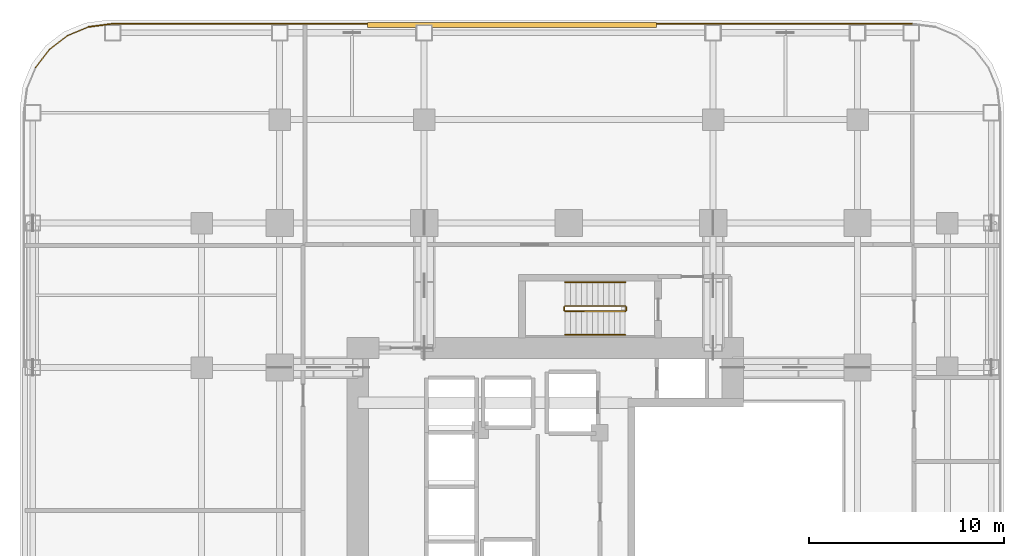
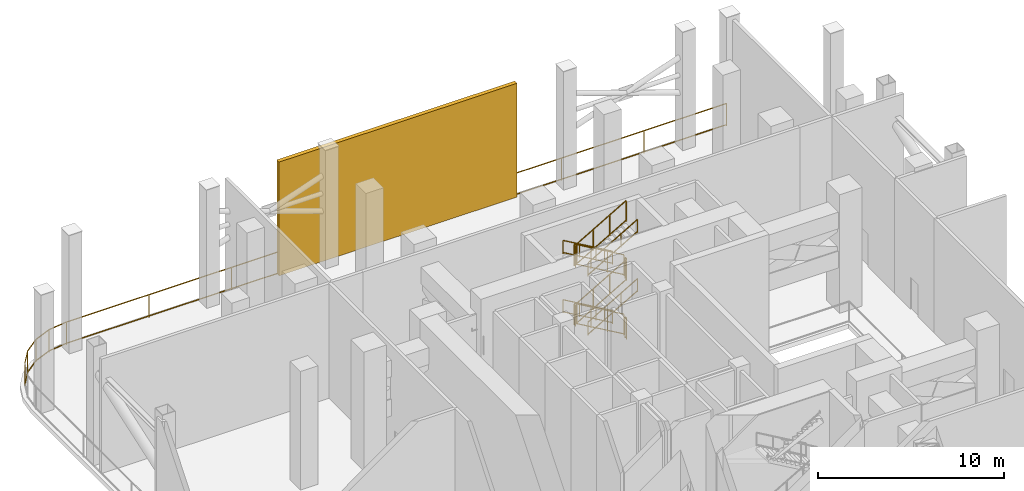
# One storey, part 10 of 11: 17 railings, 1 shading device.
"""IFC4 building model written with IfcOpenShell, lengths in metres."""

import ifcopenshell
import ifcopenshell.guid

model = None  # the IFC model being written
_history = None  # IfcOwnerHistory: only IFC2X3 demands one
_inside = {}  # id of a spatial element -> (the spatial element, [elements in it])
_under = {}  # id of a project, library or spatial element -> (it, [spatial elements below it])
_declared = {}  # id of a project -> (the project, [libraries it declares])
_typed = {}  # id of a type object -> (the type object, [elements of that type])
_made_of = {}  # id of a material, layer set ... -> (it, [elements and type objects made of it])


def new_model(schema):
    """Start an empty IFC model of exactly this schema.

    Asked for "IFC4X3", IfcOpenShell would pick the latest addendum, in which some entities
    have other attributes; the version numbers below select the first issue.
    IFC2X3 requires an IfcOwnerHistory on every rooted entity: one is made here for all.
    """
    global model, _history
    if schema == "IFC4X3":
        model = ifcopenshell.file(schema_version=(4, 3, 0, 0))
    else:
        model = ifcopenshell.file(schema=schema)
    _inside.clear()
    _under.clear()
    _declared.clear()
    _typed.clear()
    _made_of.clear()
    _history = None
    if model.schema == "IFC2X3":
        org = make("IfcOrganization", Name="unknown")
        user = make(
            "IfcPersonAndOrganization",
            ThePerson=make("IfcPerson", FamilyName="unknown"),
            TheOrganization=org,
        )
        app = make(
            "IfcApplication",
            ApplicationDeveloper=org,
            Version="unknown",
            ApplicationFullName="unknown",
            ApplicationIdentifier="unknown",
        )
        _history = make(
            "IfcOwnerHistory",
            OwningUser=user,
            OwningApplication=app,
            ChangeAction="ADDED",
            CreationDate=0,
        )
    return model


def make(cls, **values):
    """One entity of the class cls with the attributes given. An attribute that is None is left unset."""
    return model.create_entity(
        cls, **{name: value for name, value in values.items() if value is not None}
    )


def rooted(cls, **values):
    """An entity with a GlobalId (a new one), such as an element, a storey or a relation."""
    return make(cls, GlobalId=ifcopenshell.guid.new(), OwnerHistory=_history, **values)


def si_unit(unit_type, name, prefix=None):
    """IfcSIUnit, for example si_unit("LENGTHUNIT", "METRE", prefix="MILLI")."""
    return make("IfcSIUnit", UnitType=unit_type, Prefix=prefix, Name=name)


def assignment(units):
    """IfcUnitAssignment: the units of a project."""
    return None if units is None else make("IfcUnitAssignment", Units=units)


def point(xyz):
    """IfcCartesianPoint."""
    return None if xyz is None else make("IfcCartesianPoint", Coordinates=xyz)


def direction(xyz):
    """IfcDirection."""
    return None if xyz is None else make("IfcDirection", DirectionRatios=xyz)


def frame(location, z_axis=None, x_axis=None):
    """IfcAxis2Placement3D, a coordinate frame: its origin and axes. An axis left out is left unset."""
    return make(
        "IfcAxis2Placement3D",
        Location=point(location),
        Axis=direction(z_axis),
        RefDirection=direction(x_axis),
    )


def frame_2d(location, x_axis=None):
    """IfcAxis2Placement2D, a coordinate frame in the plane: its origin and x axis."""
    return make(
        "IfcAxis2Placement2D", Location=point(location), RefDirection=direction(x_axis)
    )


def origin():
    """The frame at (0, 0, 0) with its axes left unset."""
    return frame((0.0, 0.0, 0.0))


def origin_2d():
    """The frame at (0, 0) in the plane with its x axis left unset."""
    return frame_2d((0.0, 0.0))


def place(relative_to, where):
    """IfcLocalPlacement: puts the frame where relative to a parent placement (None: the world)."""
    return make(
        "IfcLocalPlacement", PlacementRelTo=relative_to, RelativePlacement=where
    )


def context(
    kind, dimensions, precision=None, world=None, true_north=None, identifier=None
):
    """IfcGeometricRepresentationContext, for example the 3D "Model" context."""
    return make(
        "IfcGeometricRepresentationContext",
        ContextIdentifier=identifier,
        ContextType=kind,
        CoordinateSpaceDimension=dimensions,
        Precision=precision,
        WorldCoordinateSystem=world,
        TrueNorth=true_north,
    )


def subcontext(parent, identifier, kind, view, scale=None):
    """IfcGeometricRepresentationSubContext, for example "Body" below "Model"."""
    return make(
        "IfcGeometricRepresentationSubContext",
        ContextIdentifier=identifier,
        ContextType=kind,
        ParentContext=parent,
        TargetScale=scale,
        TargetView=view,
    )


def project(units=None, contexts=None):
    """IfcProject with its units and contexts."""
    return rooted(
        "IfcProject",
        Name="project",
        RepresentationContexts=contexts,
        UnitsInContext=assignment(units),
    )


def spatial(cls, under=None, at=None, **own):
    """A site, building, storey or space (cls), placed at a placement, below another one or the project."""
    s = rooted(cls, ObjectPlacement=at, **own)
    if under is not None:
        _under.setdefault(under.id(), (under, []))[1].append(s)
    return s


def profile(cls, at=None, kind="AREA", **sizes):
    """A parametric profile (cls). Its sizes go by their IFC names, for example OverallWidth=200.0."""
    return make(cls, ProfileType=kind, Position=at, **sizes)


def rectangle(**sizes):
    """IfcRectangleProfileDef."""
    return profile("IfcRectangleProfileDef", **sizes)


def extrude(swept, where, along, depth):
    """IfcExtrudedAreaSolid: the profile swept, set in the frame where, extruded along a direction by depth."""
    return make(
        "IfcExtrudedAreaSolid",
        SweptArea=swept,
        Position=where,
        ExtrudedDirection=direction(along),
        Depth=depth,
    )


def shape(context_of_items, identifier, shape_type, items):
    """IfcShapeRepresentation: the items that make up one representation, for example the "Body"."""
    return make(
        "IfcShapeRepresentation",
        ContextOfItems=context_of_items,
        RepresentationIdentifier=identifier,
        RepresentationType=shape_type,
        Items=items,
    )


def material(Name=None, Category=None):
    """IfcMaterial."""
    return make("IfcMaterial", Name=Name, Category=Category)


def layer(
    of_material, thickness, ventilated=None, Name=None, Category=None, Priority=None
):
    """IfcMaterialLayer: one layer of a wall or slab, of a material (None: an air gap)."""
    return make(
        "IfcMaterialLayer",
        Material=of_material,
        LayerThickness=thickness,
        IsVentilated=ventilated,
        Name=Name,
        Category=Category,
        Priority=Priority,
    )


def layer_set(layers, Name=None):
    """IfcMaterialLayerSet."""
    return make("IfcMaterialLayerSet", MaterialLayers=layers, LayerSetName=Name)


def made_of(thing, what):
    """Note that an element or type object is made of a material, layer set ...; save() writes the relation."""
    if what is not None:
        _made_of.setdefault(what.id(), (what, []))[1].append(thing)
    return thing


def type_object(cls, material=None, **own):
    """A type object (cls), such as IfcWallType, which elements share."""
    return made_of(rooted(cls, **own), material)


def element(
    cls,
    number,
    at=None,
    inside=None,
    cuts=None,
    type_object=None,
    material=None,
    context=None,
    identifier="Body",
    shape_type=None,
    held_by="IfcProductDefinitionShape",
    body=None,
    shapes=None,
    **own,
):
    """One element of the class cls, such as IfcWall. Its Tag is "e" and its number.

    at: its placement. inside: the storey or other place that contains it. cuts: it is an
    opening in that element (IfcRelVoidsElement). A single representation is given by context,
    identifier, shape_type and body (its items); several are given by shapes. held_by: the class
    of the entity that holds the representations. save() writes the other relations.
    """
    e = rooted(cls, Tag="e%d" % number, ObjectPlacement=at, **own)
    if body is not None:
        shapes = [shape(context, identifier, shape_type, body)]
    if shapes is not None:
        e.Representation = make(held_by, Representations=shapes)
    if inside is not None:
        _inside.setdefault(inside.id(), (inside, []))[1].append(e)
    if cuts is not None:
        rooted(
            "IfcRelVoidsElement", RelatingBuildingElement=cuts, RelatedOpeningElement=e
        )
    if type_object is not None:
        _typed.setdefault(type_object.id(), (type_object, []))[1].append(e)
    return made_of(e, material)


def aggregate(whole, parts):
    """IfcRelAggregates: a whole, such as a stair, and the parts it consists of."""
    return rooted("IfcRelAggregates", RelatingObject=whole, RelatedObjects=parts)


def save(model, path):
    """Write the relations noted so far, then the file.

    IfcRelAggregates (storeys below a building ...), IfcRelContainedInSpatialStructure (elements
    in a storey), IfcRelDefinesByType, IfcRelAssociatesMaterial and IfcRelDeclares: one each for
    every whole, place, type object, material and project.
    """
    for whole, parts in _under.values():
        aggregate(whole, parts)
    for where, things in _inside.values():
        rooted(
            "IfcRelContainedInSpatialStructure",
            RelatedElements=things,
            RelatingStructure=where,
        )
    for kind, things in _typed.values():
        rooted("IfcRelDefinesByType", RelatedObjects=things, RelatingType=kind)
    for what, things in _made_of.values():
        rooted("IfcRelAssociatesMaterial", RelatedObjects=things, RelatingMaterial=what)
    for by, libraries in _declared.values():
        rooted("IfcRelDeclares", RelatingContext=by, RelatedDefinitions=libraries)
    model.write(path)


model = new_model("IFC4")

# Units and contexts
model_context = context("Model", 3, precision=1e-05, world=origin(), true_north=direction((0.0, 1.0)))
body_context = subcontext(model_context, "Body", "Model", "MODEL_VIEW")
ifc_project = project(units=[si_unit("LENGTHUNIT", "METRE"), si_unit("AREAUNIT", "SQUARE_METRE"), si_unit("VOLUMEUNIT", "CUBIC_METRE"), si_unit("PLANEANGLEUNIT", "RADIAN"), si_unit("MASSUNIT", "GRAM", prefix="KILO")], contexts=[model_context])

# Site, building, storey
site_placement = place(None, origin())
site = spatial("IfcSite", under=ifc_project, at=site_placement, CompositionType="ELEMENT")
building_placement = place(site_placement, origin())
building = spatial("IfcBuilding", under=site, at=building_placement, Name="Khorvyn Point Tower", CompositionType="ELEMENT")
storey_placement = place(building_placement, frame((0.0, 0.0, 77.39990234375)))
storey = spatial("IfcBuildingStorey", under=building, at=storey_placement, Name="L20", CompositionType="ELEMENT", Elevation=77.39990234375)

# Shading device
ifc_material_1 = material(Name="Pale anodised aluminium 6063-T6", Category="aluminium")
ifc_layer = layer(ifc_material_1, 0.25)
ifc_layer_set = layer_set([ifc_layer], Name="Acoustic Hurricane-Louvre Plant Screen")
shading_device_type = type_object("IfcShadingDeviceType", Name="Acoustic Hurricane-Louvre Plant Screen", PredefinedType="JALOUSIE", material=ifc_layer_set)
shading_device_placement = place(storey_placement, frame((-2.89990234375, 24.949951171875, 0.02001953125), z_axis=(0.0, 0.0, 1.0), x_axis=(1.0, 0.0, 0.0)))
element("IfcShadingDevice", 1, at=shading_device_placement, inside=storey, type_object=shading_device_type, Name="L20 Acoustic Hurricane Plant Louvre N", PredefinedType="JALOUSIE", context=body_context, shape_type="SweptSolid", body=[
    extrude(rectangle(XDim=14.800048828125, YDim=0.25, at=origin_2d()), origin(), (0.0, 0.0, 1.0), 7.47998046875),
])

# Railings
ifc_material_2 = material(Name="Stainless steel 1.4401", Category="steel")
railing_type_1 = type_object("IfcRailingType", Name="School Terrace Anti-Climb Safety Guardrail 1500", PredefinedType="GUARDRAIL", material=ifc_material_2)
railing_1_placement = place(storey_placement, frame((17.634521484375, 24.998291015625, 0.0)))
element("IfcRailing", 2, at=railing_1_placement, inside=storey, type_object=railing_type_1, Name="L20 Open Wind-Floor Perimeter Guardrail 14", PredefinedType="GUARDRAIL", context=body_context, shape_type="SweptSolid", body=[
    extrude(rectangle(XDim=0.048095703125, YDim=0.048095703125, at=origin_2d()), frame((0.0, 0.0, 1.47607421875), z_axis=(-1.0, 0.0, 0.0), x_axis=(0.0, -1.0, 0.0)), (0.0, 0.0, 1.0), 41.06884765625),
    extrude(rectangle(XDim=0.048095703125, YDim=0.048095703125, at=origin_2d()), frame((0.0, 0.0, 0.080078125), z_axis=(-1.0, 0.0, 0.0), x_axis=(0.0, -1.0, 0.0)), (0.0, 0.0, 1.0), 41.06884765625),
    extrude(rectangle(XDim=0.0419921875, YDim=0.0419921875, at=origin_2d()), origin(), (0.0, 0.0, 1.0), 1.451904296875),
    extrude(rectangle(XDim=0.0419921875, YDim=0.0419921875, at=origin_2d()), frame((-5.133544921875, 0.0, 0.0)), (0.0, 0.0, 1.0), 1.451904296875),
    extrude(rectangle(XDim=0.0419921875, YDim=0.0419921875, at=origin_2d()), frame((-10.26708984375, 0.0, 0.0)), (0.0, 0.0, 1.0), 1.451904296875),
    extrude(rectangle(XDim=0.0419921875, YDim=0.0419921875, at=origin_2d()), frame((-15.40087890625, 0.0, 0.0)), (0.0, 0.0, 1.0), 1.451904296875),
    extrude(rectangle(XDim=0.0419921875, YDim=0.0419921875, at=origin_2d()), frame((-20.534423828125, 0.0, 0.0)), (0.0, 0.0, 1.0), 1.451904296875),
    extrude(rectangle(XDim=0.0419921875, YDim=0.0419921875, at=origin_2d()), frame((-25.66796875, 0.0, 0.0)), (0.0, 0.0, 1.0), 1.451904296875),
    extrude(rectangle(XDim=0.0419921875, YDim=0.0419921875, at=origin_2d()), frame((-30.8017578125, 0.0, 0.0)), (0.0, 0.0, 1.0), 1.451904296875),
    extrude(rectangle(XDim=0.0419921875, YDim=0.0419921875, at=origin_2d()), frame((-35.935302734375, 0.0, 0.0)), (0.0, 0.0, 1.0), 1.451904296875),
    extrude(rectangle(XDim=0.0419921875, YDim=0.0419921875, at=origin_2d()), frame((-41.06884765625, 0.0, 0.0)), (0.0, 0.0, 1.0), 1.451904296875),
])
railing_2_placement = place(storey_placement, frame((-23.434326171875, 24.998291015625, 0.0)))
element("IfcRailing", 3, at=railing_2_placement, inside=storey, type_object=railing_type_1, Name="L20 Open Wind-Floor Perimeter Guardrail 15", PredefinedType="GUARDRAIL", context=body_context, shape_type="SweptSolid", body=[
    extrude(rectangle(XDim=0.048095703125, YDim=0.048095703125, at=origin_2d()), frame((0.0, 0.0, 1.47607421875), z_axis=(-0.99144787746, -0.130503280722, 0.0), x_axis=(0.130503280722, -0.99144787746, 0.0)), (0.0, 0.0, 1.0), 1.16552734375),
    extrude(rectangle(XDim=0.048095703125, YDim=0.048095703125, at=origin_2d()), frame((0.0, 0.0, 0.080078125), z_axis=(-0.99144787746, -0.130503280722, 0.0), x_axis=(0.130503280722, -0.99144787746, 0.0)), (0.0, 0.0, 1.0), 1.16552734375),
    extrude(rectangle(XDim=0.0419921875, YDim=0.0419921875, at=origin_2d()), origin(), (0.0, 0.0, 1.0), 1.451904296875),
    extrude(rectangle(XDim=0.0419921875, YDim=0.0419921875, at=origin_2d()), frame((-1.155517578125, -0.152099609375, 0.0)), (0.0, 0.0, 1.0), 1.451904296875),
])
railing_3_placement = place(storey_placement, frame((-24.58984375, 24.84619140625, 0.0)))
element("IfcRailing", 4, at=railing_3_placement, inside=storey, type_object=railing_type_1, Name="L20 Open Wind-Floor Perimeter Guardrail 16", PredefinedType="GUARDRAIL", context=body_context, shape_type="SweptSolid", body=[
    extrude(rectangle(XDim=0.048095703125, YDim=0.048095703125, at=origin_2d()), frame((0.0, 0.0, 1.47607421875), z_axis=(-0.923930027667, -0.382561503519, 0.0), x_axis=(0.382561503519, -0.923930027667, 0.0)), (0.0, 0.0, 1.0), 1.165283203125),
    extrude(rectangle(XDim=0.048095703125, YDim=0.048095703125, at=origin_2d()), frame((0.0, 0.0, 0.080078125), z_axis=(-0.923930027667, -0.382561503519, 0.0), x_axis=(0.382561503519, -0.923930027667, 0.0)), (0.0, 0.0, 1.0), 1.165283203125),
    extrude(rectangle(XDim=0.0419921875, YDim=0.0419921875, at=origin_2d()), origin(), (0.0, 0.0, 1.0), 1.451904296875),
    extrude(rectangle(XDim=0.0419921875, YDim=0.0419921875, at=origin_2d()), frame((-1.07666015625, -0.44580078125, 0.0)), (0.0, 0.0, 1.0), 1.451904296875),
])
railing_4_placement = place(storey_placement, frame((-25.66650390625, 24.400390625, 0.0)))
element("IfcRailing", 5, at=railing_4_placement, inside=storey, type_object=railing_type_1, Name="L20 Open Wind-Floor Perimeter Guardrail 17", PredefinedType="GUARDRAIL", context=body_context, shape_type="SweptSolid", body=[
    extrude(rectangle(XDim=0.048095703125, YDim=0.048095703125, at=origin_2d()), frame((0.0, 0.0, 1.47607421875), z_axis=(-0.79326225544, -0.608880114714, 0.0), x_axis=(0.608880114714, -0.79326225544, 0.0)), (0.0, 0.0, 1.0), 1.165283203125),
    extrude(rectangle(XDim=0.048095703125, YDim=0.048095703125, at=origin_2d()), frame((0.0, 0.0, 0.080078125), z_axis=(-0.79326225544, -0.608880114714, 0.0), x_axis=(0.608880114714, -0.79326225544, 0.0)), (0.0, 0.0, 1.0), 1.165283203125),
    extrude(rectangle(XDim=0.0419921875, YDim=0.0419921875, at=origin_2d()), origin(), (0.0, 0.0, 1.0), 1.451904296875),
    extrude(rectangle(XDim=0.0419921875, YDim=0.0419921875, at=origin_2d()), frame((-0.92431640625, -0.70947265625, 0.0)), (0.0, 0.0, 1.0), 1.451904296875),
])
railing_5_placement = place(storey_placement, frame((-26.5908203125, 23.69091796875, 0.0)))
element("IfcRailing", 6, at=railing_5_placement, inside=storey, type_object=railing_type_1, Name="L20 Open Wind-Floor Perimeter Guardrail 18", PredefinedType="GUARDRAIL", context=body_context, shape_type="SweptSolid", body=[
    extrude(rectangle(XDim=0.048095703125, YDim=0.048095703125, at=origin_2d()), frame((0.0, 0.0, 1.47607421875), z_axis=(-0.608778925589, -0.793339914386, 0.0), x_axis=(0.793339914386, -0.608778925589, 0.0)), (0.0, 0.0, 1.0), 1.165283203125),
    extrude(rectangle(XDim=0.048095703125, YDim=0.048095703125, at=origin_2d()), frame((0.0, 0.0, 0.080078125), z_axis=(-0.608778925589, -0.793339914386, 0.0), x_axis=(0.793339914386, -0.608778925589, 0.0)), (0.0, 0.0, 1.0), 1.165283203125),
    extrude(rectangle(XDim=0.0419921875, YDim=0.0419921875, at=origin_2d()), origin(), (0.0, 0.0, 1.0), 1.451904296875),
    extrude(rectangle(XDim=0.0419921875, YDim=0.0419921875, at=origin_2d()), frame((-0.70947265625, -0.924560546875, 0.0)), (0.0, 0.0, 1.0), 1.451904296875),
])
ifc_material_3 = material(Name="Stainless steel 1.4301", Category="steel")
railing_type_2 = type_object("IfcRailingType", Name="Stainless Steel 304 Stair Pitch Handrail 900", PredefinedType="HANDRAIL", material=ifc_material_3)
railing_6_placement = place(storey_placement, frame((2.89990234375, 11.77001953125, 0.16259765625)))
element("IfcRailing", 7, at=railing_6_placement, inside=storey, type_object=railing_type_2, Name="L20 ST-02 stair handrail 1", PredefinedType="HANDRAIL", context=body_context, shape_type="SweptSolid", body=[
    extrude(rectangle(XDim=0.048095703125, YDim=0.048095703125, at=origin_2d()), frame((0.0, 0.0, 0.8759765625), z_axis=(-0.864873446163, 0.0, 0.501989962173), x_axis=(0.0, -1.0, 0.0)), (0.0, 0.0, 1.0), 3.56103515625),
    extrude(rectangle(XDim=0.048095703125, YDim=0.048095703125, at=origin_2d()), frame((0.0, 0.0, 0.080078125), z_axis=(-0.864873446163, 0.0, 0.501989962173), x_axis=(0.0, -1.0, 0.0)), (0.0, 0.0, 1.0), 3.56103515625),
    extrude(rectangle(XDim=0.0419921875, YDim=0.0419921875, at=origin_2d()), origin(), (0.0, 0.0, 1.0), 0.851806640625),
    extrude(rectangle(XDim=0.0419921875, YDim=0.0419921875, at=origin_2d()), frame((-1.026611328125, 0.0, 0.595947265625)), (0.0, 0.0, 1.0), 0.851806640625),
    extrude(rectangle(XDim=0.0419921875, YDim=0.0419921875, at=origin_2d()), frame((-2.05322265625, 0.0, 1.191650390625)), (0.0, 0.0, 1.0), 0.851806640625),
    extrude(rectangle(XDim=0.0419921875, YDim=0.0419921875, at=origin_2d()), frame((-3.079833984375, 0.0, 1.78759765625)), (0.0, 0.0, 1.0), 0.851806640625),
])
railing_7_placement = place(storey_placement, frame((-0.179931640625, 9.070068359375, 2.112548828125)))
element("IfcRailing", 8, at=railing_7_placement, inside=storey, type_object=railing_type_2, Name="L20 ST-02 stair handrail 2", PredefinedType="HANDRAIL", context=body_context, shape_type="SweptSolid", body=[
    extrude(rectangle(XDim=0.048095703125, YDim=0.048095703125, at=origin_2d()), frame((0.0, 0.0, 0.8759765625), z_axis=(0.864873446163, 0.0, 0.501989962173), x_axis=(0.0, 1.0, 0.0)), (0.0, 0.0, 1.0), 3.56103515625),
    extrude(rectangle(XDim=0.048095703125, YDim=0.048095703125, at=origin_2d()), frame((0.0, 0.0, 0.080078125), z_axis=(0.864873446163, 0.0, 0.501989962173), x_axis=(0.0, 1.0, 0.0)), (0.0, 0.0, 1.0), 3.56103515625),
    extrude(rectangle(XDim=0.0419921875, YDim=0.0419921875, at=origin_2d()), origin(), (0.0, 0.0, 1.0), 0.851806640625),
    extrude(rectangle(XDim=0.0419921875, YDim=0.0419921875, at=origin_2d()), frame((1.026611328125, 0.0, 0.595947265625)), (0.0, 0.0, 1.0), 0.851806640625),
    extrude(rectangle(XDim=0.0419921875, YDim=0.0419921875, at=origin_2d()), frame((2.05322265625, 0.0, 1.191650390625)), (0.0, 0.0, 1.0), 0.851806640625),
    extrude(rectangle(XDim=0.0419921875, YDim=0.0419921875, at=origin_2d()), frame((3.079833984375, 0.0, 1.78759765625)), (0.0, 0.0, 1.0), 0.851806640625),
])
railing_8_placement = place(storey_placement, frame((2.89990234375, 11.77001953125, 4.0625)))
element("IfcRailing", 9, at=railing_8_placement, inside=storey, type_object=railing_type_2, Name="L20 ST-02 stair handrail 3", PredefinedType="HANDRAIL", context=body_context, shape_type="SweptSolid", body=[
    extrude(rectangle(XDim=0.048095703125, YDim=0.048095703125, at=origin_2d()), frame((0.0, 0.0, 0.8759765625), z_axis=(-0.864873446163, 0.0, 0.501989962173), x_axis=(0.0, -1.0, 0.0)), (0.0, 0.0, 1.0), 3.56103515625),
    extrude(rectangle(XDim=0.048095703125, YDim=0.048095703125, at=origin_2d()), frame((0.0, 0.0, 0.080078125), z_axis=(-0.864873446163, 0.0, 0.501989962173), x_axis=(0.0, -1.0, 0.0)), (0.0, 0.0, 1.0), 3.56103515625),
    extrude(rectangle(XDim=0.0419921875, YDim=0.0419921875, at=origin_2d()), origin(), (0.0, 0.0, 1.0), 0.851806640625),
    extrude(rectangle(XDim=0.0419921875, YDim=0.0419921875, at=origin_2d()), frame((-1.026611328125, 0.0, 0.595947265625)), (0.0, 0.0, 1.0), 0.851806640625),
    extrude(rectangle(XDim=0.0419921875, YDim=0.0419921875, at=origin_2d()), frame((-2.05322265625, 0.0, 1.191650390625)), (0.0, 0.0, 1.0), 0.851806640625),
    extrude(rectangle(XDim=0.0419921875, YDim=0.0419921875, at=origin_2d()), frame((-3.079833984375, 0.0, 1.78759765625)), (0.0, 0.0, 1.0), 0.851806640625),
])
railing_9_placement = place(storey_placement, frame((-0.179931640625, 9.070068359375, 6.0126953125)))
element("IfcRailing", 10, at=railing_9_placement, inside=storey, type_object=railing_type_2, Name="L20 ST-02 stair handrail 4", PredefinedType="HANDRAIL", context=body_context, shape_type="SweptSolid", body=[
    extrude(rectangle(XDim=0.048095703125, YDim=0.048095703125, at=origin_2d()), frame((0.0, 0.0, 0.8759765625), z_axis=(0.864903211148, 0.0, 0.501938676878), x_axis=(0.0, 1.0, 0.0)), (0.0, 0.0, 1.0), 3.560791015625),
    extrude(rectangle(XDim=0.048095703125, YDim=0.048095703125, at=origin_2d()), frame((0.0, 0.0, 0.080078125), z_axis=(0.864903211148, 0.0, 0.501938676878), x_axis=(0.0, 1.0, 0.0)), (0.0, 0.0, 1.0), 3.560791015625),
    extrude(rectangle(XDim=0.0419921875, YDim=0.0419921875, at=origin_2d()), origin(), (0.0, 0.0, 1.0), 0.851806640625),
    extrude(rectangle(XDim=0.0419921875, YDim=0.0419921875, at=origin_2d()), frame((1.026611328125, 0.0, 0.595703125)), (0.0, 0.0, 1.0), 0.851806640625),
    extrude(rectangle(XDim=0.0419921875, YDim=0.0419921875, at=origin_2d()), frame((2.05322265625, 0.0, 1.191650390625)), (0.0, 0.0, 1.0), 0.851806640625),
    extrude(rectangle(XDim=0.0419921875, YDim=0.0419921875, at=origin_2d()), frame((3.079833984375, 0.0, 1.787353515625)), (0.0, 0.0, 1.0), 0.851806640625),
])
railing_type_3 = type_object("IfcRailingType", Name="Stainless Steel 304 Stair Well Guardrail 1400", PredefinedType="GUARDRAIL", material=ifc_material_3)
railing_10_placement = place(storey_placement, frame((2.89990234375, 10.550048828125, 0.16259765625)))
element("IfcRailing", 11, at=railing_10_placement, inside=storey, type_object=railing_type_3, Name="L20 ST-02 stair guard 1", PredefinedType="GUARDRAIL", context=body_context, shape_type="SweptSolid", body=[
    extrude(rectangle(XDim=0.048095703125, YDim=0.048095703125, at=origin_2d()), frame((0.0, 0.0, 1.3759765625), z_axis=(-0.864873446163, 0.0, 0.501989962173), x_axis=(0.0, -1.0, 0.0)), (0.0, 0.0, 1.0), 3.56103515625),
    extrude(rectangle(XDim=0.048095703125, YDim=0.048095703125, at=origin_2d()), frame((0.0, 0.0, 0.080078125), z_axis=(-0.864873446163, 0.0, 0.501989962173), x_axis=(0.0, -1.0, 0.0)), (0.0, 0.0, 1.0), 3.56103515625),
    extrude(rectangle(XDim=0.0419921875, YDim=0.0419921875, at=origin_2d()), origin(), (0.0, 0.0, 1.0), 1.351806640625),
    extrude(rectangle(XDim=0.0419921875, YDim=0.0419921875, at=origin_2d()), frame((-1.026611328125, 0.0, 0.595947265625)), (0.0, 0.0, 1.0), 1.351806640625),
    extrude(rectangle(XDim=0.0419921875, YDim=0.0419921875, at=origin_2d()), frame((-2.05322265625, 0.0, 1.191650390625)), (0.0, 0.0, 1.0), 1.351806640625),
    extrude(rectangle(XDim=0.0419921875, YDim=0.0419921875, at=origin_2d()), frame((-3.079833984375, 0.0, 1.78759765625)), (0.0, 0.0, 1.0), 1.351806640625),
])
railing_11_placement = place(storey_placement, frame((-0.22998046875, 10.5, 1.9501953125)))
element("IfcRailing", 12, at=railing_11_placement, inside=storey, type_object=railing_type_3, Name="L20 ST-02 stair guard 2", PredefinedType="GUARDRAIL", context=body_context, shape_type="SweptSolid", body=[
    extrude(rectangle(XDim=0.048095703125, YDim=0.048095703125, at=origin_2d()), frame((0.0, 0.0, 1.3759765625), z_axis=(0.0, -1.0, 0.0), x_axis=(1.0, 0.0, 0.0)), (0.0, 0.0, 1.0), 0.159912109375),
    extrude(rectangle(XDim=0.048095703125, YDim=0.048095703125, at=origin_2d()), frame((0.0, 0.0, 0.080078125), z_axis=(0.0, -1.0, 0.0), x_axis=(1.0, 0.0, 0.0)), (0.0, 0.0, 1.0), 0.159912109375),
    extrude(rectangle(XDim=0.0419921875, YDim=0.0419921875, at=origin_2d()), origin(), (0.0, 0.0, 1.0), 1.351806640625),
    extrude(rectangle(XDim=0.0419921875, YDim=0.0419921875, at=origin_2d()), frame((0.0, -0.159912109375, 0.0)), (0.0, 0.0, 1.0), 1.351806640625),
])
railing_12_placement = place(storey_placement, frame((-0.179931640625, 10.2900390625, 2.112548828125)))
element("IfcRailing", 13, at=railing_12_placement, inside=storey, type_object=railing_type_3, Name="L20 ST-02 stair guard 3", PredefinedType="GUARDRAIL", context=body_context, shape_type="SweptSolid", body=[
    extrude(rectangle(XDim=0.048095703125, YDim=0.048095703125, at=origin_2d()), frame((0.0, 0.0, 1.3759765625), z_axis=(0.864873446163, 0.0, 0.501989962173), x_axis=(0.0, 1.0, 0.0)), (0.0, 0.0, 1.0), 3.56103515625),
    extrude(rectangle(XDim=0.048095703125, YDim=0.048095703125, at=origin_2d()), frame((0.0, 0.0, 0.080078125), z_axis=(0.864873446163, 0.0, 0.501989962173), x_axis=(0.0, 1.0, 0.0)), (0.0, 0.0, 1.0), 3.56103515625),
    extrude(rectangle(XDim=0.0419921875, YDim=0.0419921875, at=origin_2d()), origin(), (0.0, 0.0, 1.0), 1.351806640625),
    extrude(rectangle(XDim=0.0419921875, YDim=0.0419921875, at=origin_2d()), frame((1.026611328125, 0.0, 0.595947265625)), (0.0, 0.0, 1.0), 1.351806640625),
    extrude(rectangle(XDim=0.0419921875, YDim=0.0419921875, at=origin_2d()), frame((2.05322265625, 0.0, 1.191650390625)), (0.0, 0.0, 1.0), 1.351806640625),
    extrude(rectangle(XDim=0.0419921875, YDim=0.0419921875, at=origin_2d()), frame((3.079833984375, 0.0, 1.78759765625)), (0.0, 0.0, 1.0), 1.351806640625),
])
railing_13_placement = place(storey_placement, frame((2.949951171875, 10.5, 3.900146484375)))
element("IfcRailing", 14, at=railing_13_placement, inside=storey, type_object=railing_type_3, Name="L20 ST-02 stair guard 4", PredefinedType="GUARDRAIL", context=body_context, shape_type="SweptSolid", body=[
    extrude(rectangle(XDim=0.048095703125, YDim=0.048095703125, at=origin_2d()), frame((0.0, 0.0, 1.3759765625), z_axis=(0.0, -1.0, 0.0), x_axis=(1.0, 0.0, 0.0)), (0.0, 0.0, 1.0), 0.159912109375),
    extrude(rectangle(XDim=0.048095703125, YDim=0.048095703125, at=origin_2d()), frame((0.0, 0.0, 0.080078125), z_axis=(0.0, -1.0, 0.0), x_axis=(1.0, 0.0, 0.0)), (0.0, 0.0, 1.0), 0.159912109375),
    extrude(rectangle(XDim=0.0419921875, YDim=0.0419921875, at=origin_2d()), origin(), (0.0, 0.0, 1.0), 1.351806640625),
    extrude(rectangle(XDim=0.0419921875, YDim=0.0419921875, at=origin_2d()), frame((0.0, -0.159912109375, 0.0)), (0.0, 0.0, 1.0), 1.351806640625),
])
railing_14_placement = place(storey_placement, frame((2.89990234375, 10.550048828125, 4.0625)))
element("IfcRailing", 15, at=railing_14_placement, inside=storey, type_object=railing_type_3, Name="L20 ST-02 stair guard 5", PredefinedType="GUARDRAIL", context=body_context, shape_type="SweptSolid", body=[
    extrude(rectangle(XDim=0.048095703125, YDim=0.048095703125, at=origin_2d()), frame((0.0, 0.0, 1.3759765625), z_axis=(-0.864873446163, 0.0, 0.501989962173), x_axis=(0.0, -1.0, 0.0)), (0.0, 0.0, 1.0), 3.56103515625),
    extrude(rectangle(XDim=0.048095703125, YDim=0.048095703125, at=origin_2d()), frame((0.0, 0.0, 0.080078125), z_axis=(-0.864873446163, 0.0, 0.501989962173), x_axis=(0.0, -1.0, 0.0)), (0.0, 0.0, 1.0), 3.56103515625),
    extrude(rectangle(XDim=0.0419921875, YDim=0.0419921875, at=origin_2d()), origin(), (0.0, 0.0, 1.0), 1.351806640625),
    extrude(rectangle(XDim=0.0419921875, YDim=0.0419921875, at=origin_2d()), frame((-1.026611328125, 0.0, 0.595947265625)), (0.0, 0.0, 1.0), 1.351806640625),
    extrude(rectangle(XDim=0.0419921875, YDim=0.0419921875, at=origin_2d()), frame((-2.05322265625, 0.0, 1.191650390625)), (0.0, 0.0, 1.0), 1.351806640625),
    extrude(rectangle(XDim=0.0419921875, YDim=0.0419921875, at=origin_2d()), frame((-3.079833984375, 0.0, 1.78759765625)), (0.0, 0.0, 1.0), 1.351806640625),
])
railing_15_placement = place(storey_placement, frame((-0.22998046875, 10.5, 5.85009765625)))
element("IfcRailing", 16, at=railing_15_placement, inside=storey, type_object=railing_type_3, Name="L20 ST-02 stair guard 6", PredefinedType="GUARDRAIL", context=body_context, shape_type="SweptSolid", body=[
    extrude(rectangle(XDim=0.048095703125, YDim=0.048095703125, at=origin_2d()), frame((0.0, 0.0, 1.3759765625), z_axis=(0.0, -1.0, 0.0), x_axis=(1.0, 0.0, 0.0)), (0.0, 0.0, 1.0), 0.159912109375),
    extrude(rectangle(XDim=0.048095703125, YDim=0.048095703125, at=origin_2d()), frame((0.0, 0.0, 0.080078125), z_axis=(0.0, -1.0, 0.0), x_axis=(1.0, 0.0, 0.0)), (0.0, 0.0, 1.0), 0.159912109375),
    extrude(rectangle(XDim=0.0419921875, YDim=0.0419921875, at=origin_2d()), origin(), (0.0, 0.0, 1.0), 1.351806640625),
    extrude(rectangle(XDim=0.0419921875, YDim=0.0419921875, at=origin_2d()), frame((0.0, -0.159912109375, 0.0)), (0.0, 0.0, 1.0), 1.351806640625),
])
railing_16_placement = place(storey_placement, frame((-0.179931640625, 10.2900390625, 6.0126953125)))
element("IfcRailing", 17, at=railing_16_placement, inside=storey, type_object=railing_type_3, Name="L20 ST-02 stair guard 7", PredefinedType="GUARDRAIL", context=body_context, shape_type="SweptSolid", body=[
    extrude(rectangle(XDim=0.048095703125, YDim=0.048095703125, at=origin_2d()), frame((0.0, 0.0, 1.3759765625), z_axis=(0.864903211148, 0.0, 0.501938676878), x_axis=(0.0, 1.0, 0.0)), (0.0, 0.0, 1.0), 3.560791015625),
    extrude(rectangle(XDim=0.048095703125, YDim=0.048095703125, at=origin_2d()), frame((0.0, 0.0, 0.080078125), z_axis=(0.864903211148, 0.0, 0.501938676878), x_axis=(0.0, 1.0, 0.0)), (0.0, 0.0, 1.0), 3.560791015625),
    extrude(rectangle(XDim=0.0419921875, YDim=0.0419921875, at=origin_2d()), origin(), (0.0, 0.0, 1.0), 1.351806640625),
    extrude(rectangle(XDim=0.0419921875, YDim=0.0419921875, at=origin_2d()), frame((1.026611328125, 0.0, 0.595703125)), (0.0, 0.0, 1.0), 1.351806640625),
    extrude(rectangle(XDim=0.0419921875, YDim=0.0419921875, at=origin_2d()), frame((2.05322265625, 0.0, 1.191650390625)), (0.0, 0.0, 1.0), 1.351806640625),
    extrude(rectangle(XDim=0.0419921875, YDim=0.0419921875, at=origin_2d()), frame((3.079833984375, 0.0, 1.787353515625)), (0.0, 0.0, 1.0), 1.351806640625),
])
railing_17_placement = place(storey_placement, frame((2.949951171875, 10.5, 0.0)))
element("IfcRailing", 18, at=railing_17_placement, inside=storey, type_object=railing_type_3, Name="L20 ST-02 stair guard 8", PredefinedType="GUARDRAIL", context=body_context, shape_type="SweptSolid", body=[
    extrude(rectangle(XDim=0.048095703125, YDim=0.048095703125, at=origin_2d()), frame((0.0, 0.0, 1.3759765625), z_axis=(0.0, -1.0, 0.0), x_axis=(1.0, 0.0, 0.0)), (0.0, 0.0, 1.0), 0.159912109375),
    extrude(rectangle(XDim=0.048095703125, YDim=0.048095703125, at=origin_2d()), frame((0.0, 0.0, 0.080078125), z_axis=(0.0, -1.0, 0.0), x_axis=(1.0, 0.0, 0.0)), (0.0, 0.0, 1.0), 0.159912109375),
    extrude(rectangle(XDim=0.0419921875, YDim=0.0419921875, at=origin_2d()), origin(), (0.0, 0.0, 1.0), 1.351806640625),
    extrude(rectangle(XDim=0.0419921875, YDim=0.0419921875, at=origin_2d()), frame((0.0, -0.159912109375, 0.0)), (0.0, 0.0, 1.0), 1.351806640625),
])

save(model, "model.ifc")
